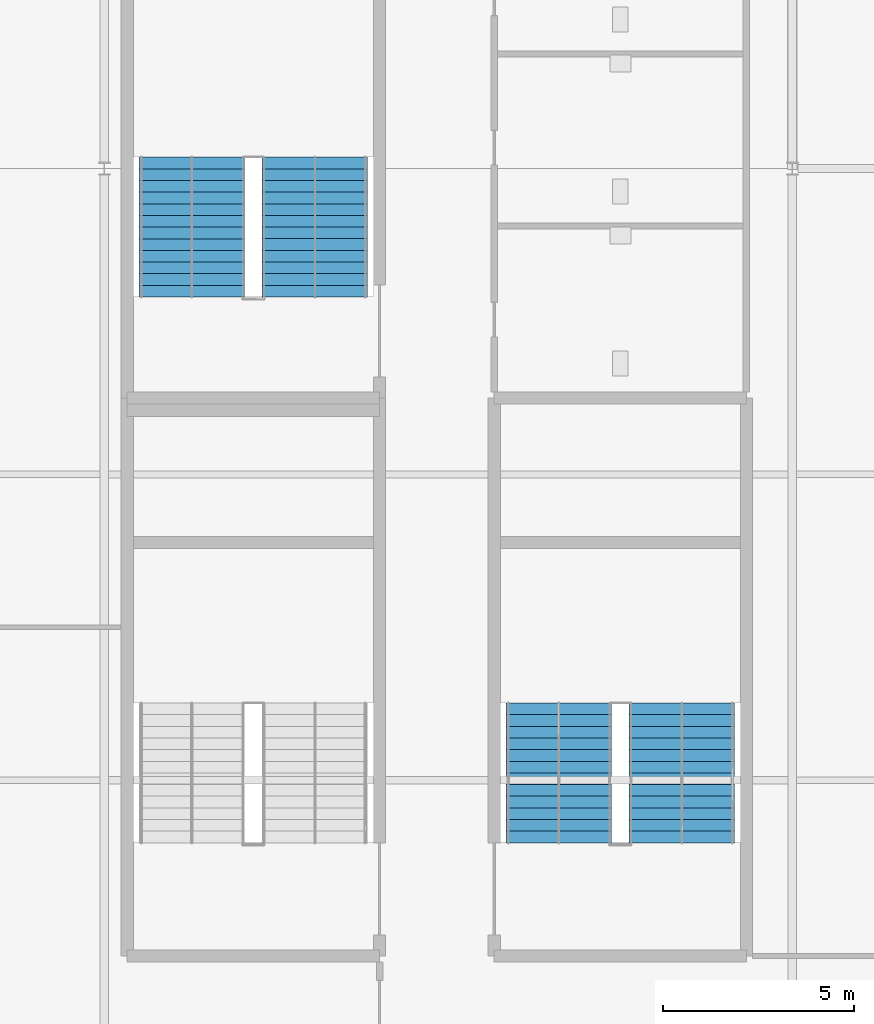
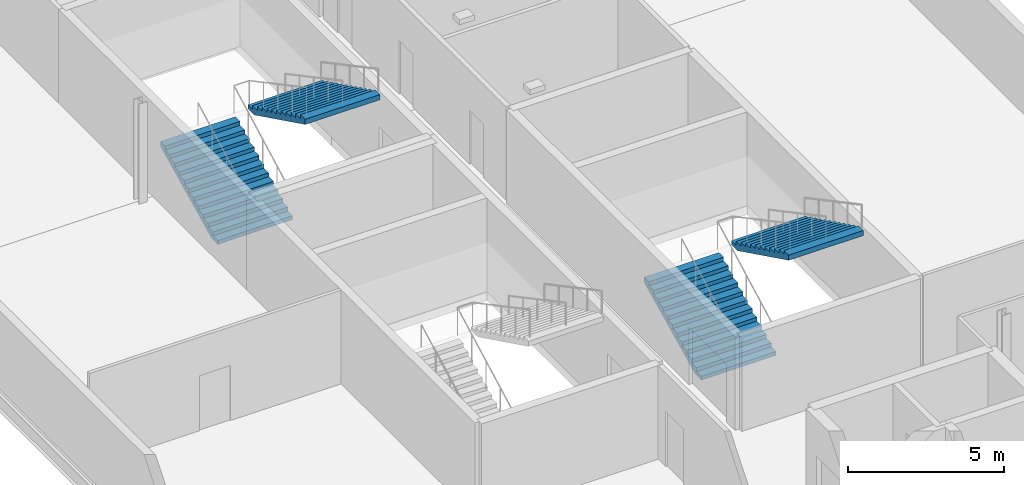
# One storey, part 21 of 27: 4 stair flights, 2 elements without a shape of their own.
"""IFC4 building model written with IfcOpenShell, lengths in metres."""

from ifc_helpers import new_model, si_unit, direction, frame, origin, place, context, subcontext, project, spatial, polygons, material, type_object, element, aggregate, save


model = new_model("IFC4")

# Units and contexts
model_context = context("Model", 3, precision=1e-05, world=origin(), true_north=direction((0.0, 1.0)))
body_context = subcontext(model_context, "Body", "Model", "MODEL_VIEW")
ifc_project = project(units=[si_unit("LENGTHUNIT", "METRE"), si_unit("AREAUNIT", "SQUARE_METRE"), si_unit("VOLUMEUNIT", "CUBIC_METRE"), si_unit("PLANEANGLEUNIT", "RADIAN"), si_unit("MASSUNIT", "GRAM", prefix="KILO")], contexts=[model_context])

# Site, building, storey
site_placement = place(None, origin())
site = spatial("IfcSite", under=ifc_project, at=site_placement, CompositionType="ELEMENT")
building_placement = place(site_placement, origin())
building = spatial("IfcBuilding", under=site, at=building_placement, Name="Kisiwana Market Hall", CompositionType="ELEMENT")
storey_placement = place(building_placement, frame((0.0, 0.0, 41.699951171875)))
storey = spatial("IfcBuildingStorey", under=building, at=storey_placement, Name="L09", CompositionType="ELEMENT", Elevation=41.699951171875)

# Stair, stair flights
ifc_material_1 = material(Name="Concrete C32/40", Category="concrete")
stair_type = type_object("IfcStairType", Name="ST-ESC-3900", PredefinedType="TWO_STRAIGHT_RUN_STAIR", material=ifc_material_1)
stair_1_placement = place(storey_placement, origin())
stair_1 = element("IfcStair", 1, at=stair_1_placement, inside=storey, type_object=stair_type, Name="Escape stair ST-E3-L09", PredefinedType="TWO_STRAIGHT_RUN_STAIR")
ifc_material_2 = material(Name="Concrete C32/40", Category="concrete")
stair_flight_type = type_object("IfcStairFlightType", Name="SF-ESC-3900", PredefinedType="STRAIGHT", material=ifc_material_2)
stair_flight_1_placement = place(storey_placement, frame((182.889892578125, 42.360107421875, 0.0), z_axis=(0.0, 0.0, 1.0), x_axis=(0.0, 1.0, 0.0)))
stair_flight_1 = element("IfcStairFlight", 2, at=stair_flight_1_placement, type_object=stair_flight_type, Name="ST-E3-L09 flight 1", NumberOfRisers=13, NumberOfTreads=12, PredefinedType="STRAIGHT", RiserHeight=0.15, TreadLength=0.305, context=body_context, shape_type="Tessellation", body=[
    polygons([(0.0, -1.380127, 0.0), (0.0, -0.690125, 0.0), (0.0, -0.000122, 0.0), (0.0, 0.68988, 0.0), (0.0, 1.379883, 0.0), (0.0, -1.380127, 0.149902), (0.0, -0.690125, 0.149902), (0.0, -0.000122, 0.149902), (0.0, 0.68988, 0.149902), (0.0, 1.379883, 0.149902), (0.304932, -1.380127, 0.149902), (0.304932, -0.690125, 0.149902), (0.304932, -0.000122, 0.149902), (0.304932, 0.68988, 0.149902), (0.304932, 1.379883, 0.149902), (0.304932, -1.380127, 0.300049), (0.304932, -0.690125, 0.300049), (0.304932, -0.000122, 0.300049), (0.304932, 0.68988, 0.300049), (0.304932, 1.379883, 0.300049), (0.610107, -1.380127, 0.300049), (0.610107, -0.690125, 0.300049), (0.610107, -0.000122, 0.300049), (0.610107, 0.68988, 0.300049), (0.610107, 1.379883, 0.300049), (0.610107, -1.380127, 0.449951), (0.610107, -0.690125, 0.449951), (0.610107, -0.000122, 0.449951), (0.610107, 0.68988, 0.449951), (0.610107, 1.379883, 0.449951), (0.915039, -1.380127, 0.449951), (0.915039, -0.690125, 0.449951), (0.915039, -0.000122, 0.449951), (0.915039, 0.68988, 0.449951), (0.915039, 1.379883, 0.449951), (0.915039, -1.380127, 0.600098), (0.915039, -0.690125, 0.600098), (0.915039, -0.000122, 0.600098), (0.915039, 0.68988, 0.600098), (0.915039, 1.379883, 0.600098), (1.219971, -1.380127, 0.600098), (1.219971, -0.690125, 0.600098), (1.219971, -0.000122, 0.600098), (1.219971, 0.68988, 0.600098), (1.219971, 1.379883, 0.600098), (1.219971, -1.380127, 0.75), (1.219971, -0.690125, 0.75), (1.219971, -0.000122, 0.75), (1.219971, 0.68988, 0.75), (1.219971, 1.379883, 0.75), (1.524902, -1.380127, 0.75), (1.524902, -0.690125, 0.75), (1.524902, -0.000122, 0.75), (1.524902, 0.68988, 0.75), (1.524902, 1.379883, 0.75), (1.524902, -1.380127, 0.899902), (1.524902, -0.690125, 0.899902), (1.524902, -0.000122, 0.899902), (1.524902, 0.68988, 0.899902), (1.524902, 1.379883, 0.899902), (1.830078, -1.380127, 0.899902), (1.830078, -0.690125, 0.899902), (1.830078, -0.000122, 0.899902), (1.830078, 0.68988, 0.899902), (1.830078, 1.379883, 0.899902), (1.830078, -1.380127, 1.050049), (1.830078, -0.690125, 1.050049), (1.830078, -0.000122, 1.050049), (1.830078, 0.68988, 1.050049), (1.830078, 1.379883, 1.050049), (2.13501, -1.380127, 1.050049), (2.13501, -0.690125, 1.050049), (2.13501, -0.000122, 1.050049), (2.13501, 0.68988, 1.050049), (2.13501, 1.379883, 1.050049), (2.13501, -1.380127, 1.199951), (2.13501, -0.690125, 1.199951), (2.13501, -0.000122, 1.199951), (2.13501, 0.68988, 1.199951), (2.13501, 1.379883, 1.199951), (2.439941, -1.380127, 1.199951), (2.439941, -0.690125, 1.199951), (2.439941, -0.000122, 1.199951), (2.439941, 0.68988, 1.199951), (2.439941, 1.379883, 1.199951), (2.439941, -1.380127, 1.350098), (2.439941, -0.690125, 1.350098), (2.439941, -0.000122, 1.350098), (2.439941, 0.68988, 1.350098), (2.439941, 1.379883, 1.350098), (2.745117, -1.380127, 1.350098), (2.745117, -0.690125, 1.350098), (2.745117, -0.000122, 1.350098), (2.745117, 0.68988, 1.350098), (2.745117, 1.379883, 1.350098), (2.745117, -1.380127, 1.5), (2.745117, -0.690125, 1.5), (2.745117, -0.000122, 1.5), (2.745117, 0.68988, 1.5), (2.745117, 1.379883, 1.5), (3.050049, -1.380127, 1.5), (3.050049, -0.690125, 1.5), (3.050049, -0.000122, 1.5), (3.050049, 0.68988, 1.5), (3.050049, 1.379883, 1.5), (3.050049, -1.380127, 1.649902), (3.050049, -0.690125, 1.649902), (3.050049, -0.000122, 1.649902), (3.050049, 0.68988, 1.649902), (3.050049, 1.379883, 1.649902), (3.35498, -1.380127, 1.649902), (3.35498, -0.690125, 1.649902), (3.35498, -0.000122, 1.649902), (3.35498, 0.68988, 1.649902), (3.35498, 1.379883, 1.649902), (3.35498, -1.380127, 1.800049), (3.35498, -0.690125, 1.800049), (3.35498, -0.000122, 1.800049), (3.35498, 0.68988, 1.800049), (3.35498, 1.379883, 1.800049), (3.659912, -1.380127, 1.800049), (3.659912, -0.690125, 1.800049), (3.659912, -0.000122, 1.800049), (3.659912, 0.68988, 1.800049), (3.659912, 1.379883, 1.800049), (3.659912, -1.380127, 1.599365), (3.659912, -0.690125, 1.599365), (3.659912, -0.000122, 1.599365), (3.659912, 0.68988, 1.599365), (3.659912, 1.379883, 1.599365), (0.407715, -1.380127, 0.0), (0.407715, -0.690125, 0.0), (0.407715, -0.000122, 0.0), (0.407715, 0.68988, 0.0), (0.407715, 1.379883, 0.0)], [[[1, 6, 7, 2]], [[2, 7, 8, 3]], [[3, 8, 9, 4]], [[4, 9, 10, 5]], [[6, 11, 12, 7]], [[7, 12, 13, 8]], [[8, 13, 14, 9]], [[9, 14, 15, 10]], [[11, 16, 17, 12]], [[12, 17, 18, 13]], [[13, 18, 19, 14]], [[14, 19, 20, 15]], [[16, 21, 22, 17]], [[17, 22, 23, 18]], [[18, 23, 24, 19]], [[19, 24, 25, 20]], [[21, 26, 27, 22]], [[22, 27, 28, 23]], [[23, 28, 29, 24]], [[24, 29, 30, 25]], [[26, 31, 32, 27]], [[27, 32, 33, 28]], [[28, 33, 34, 29]], [[29, 34, 35, 30]], [[31, 36, 37, 32]], [[32, 37, 38, 33]], [[33, 38, 39, 34]], [[34, 39, 40, 35]], [[36, 41, 42, 37]], [[37, 42, 43, 38]], [[38, 43, 44, 39]], [[39, 44, 45, 40]], [[41, 46, 47, 42]], [[42, 47, 48, 43]], [[43, 48, 49, 44]], [[44, 49, 50, 45]], [[46, 51, 52, 47]], [[47, 52, 53, 48]], [[48, 53, 54, 49]], [[49, 54, 55, 50]], [[51, 56, 57, 52]], [[52, 57, 58, 53]], [[53, 58, 59, 54]], [[54, 59, 60, 55]], [[56, 61, 62, 57]], [[57, 62, 63, 58]], [[58, 63, 64, 59]], [[59, 64, 65, 60]], [[61, 66, 67, 62]], [[62, 67, 68, 63]], [[63, 68, 69, 64]], [[64, 69, 70, 65]], [[66, 71, 72, 67]], [[67, 72, 73, 68]], [[68, 73, 74, 69]], [[69, 74, 75, 70]], [[71, 76, 77, 72]], [[72, 77, 78, 73]], [[73, 78, 79, 74]], [[74, 79, 80, 75]], [[76, 81, 82, 77]], [[77, 82, 83, 78]], [[78, 83, 84, 79]], [[79, 84, 85, 80]], [[81, 86, 87, 82]], [[82, 87, 88, 83]], [[83, 88, 89, 84]], [[84, 89, 90, 85]], [[86, 91, 92, 87]], [[87, 92, 93, 88]], [[88, 93, 94, 89]], [[89, 94, 95, 90]], [[91, 96, 97, 92]], [[92, 97, 98, 93]], [[93, 98, 99, 94]], [[94, 99, 100, 95]], [[96, 101, 102, 97]], [[97, 102, 103, 98]], [[98, 103, 104, 99]], [[99, 104, 105, 100]], [[101, 106, 107, 102]], [[102, 107, 108, 103]], [[103, 108, 109, 104]], [[104, 109, 110, 105]], [[106, 111, 112, 107]], [[107, 112, 113, 108]], [[108, 113, 114, 109]], [[109, 114, 115, 110]], [[111, 116, 117, 112]], [[112, 117, 118, 113]], [[113, 118, 119, 114]], [[114, 119, 120, 115]], [[116, 121, 122, 117]], [[117, 122, 123, 118]], [[118, 123, 124, 119]], [[119, 124, 125, 120]], [[121, 126, 127, 122]], [[122, 127, 128, 123]], [[123, 128, 129, 124]], [[124, 129, 130, 125]], [[126, 131, 132, 127]], [[127, 132, 133, 128]], [[128, 133, 134, 129]], [[129, 134, 135, 130]], [[131, 1, 2, 132]], [[132, 2, 3, 133]], [[133, 3, 4, 134]], [[134, 4, 5, 135]], [[131, 126, 121, 116, 111, 106, 101, 96, 91, 86, 81, 76, 71, 66, 61, 56, 51, 46, 41, 36, 31, 26, 21, 16, 11, 6, 1]], [[5, 10, 15, 20, 25, 30, 35, 40, 45, 50, 55, 60, 65, 70, 75, 80, 85, 90, 95, 100, 105, 110, 115, 120, 125, 130, 135]]], closed=True),
])
stair_flight_2_placement = place(storey_placement, frame((186.110107421875, 46.02001953125, 1.949951171875), z_axis=(0.0, 0.0, 1.0), x_axis=(0.0, -1.0, 0.0)))
stair_flight_2 = element("IfcStairFlight", 3, at=stair_flight_2_placement, type_object=stair_flight_type, Name="ST-E3-L09 flight 2", NumberOfRisers=13, NumberOfTreads=12, PredefinedType="STRAIGHT", RiserHeight=0.15, TreadLength=0.305, context=body_context, shape_type="Tessellation", body=[
    polygons([(0.0, -1.380127, 0.0), (0.0, -0.690125, 0.0), (0.0, -0.000122, 0.0), (0.0, 0.68988, 0.0), (0.0, 1.379883, 0.0), (0.0, -1.380127, 0.149902), (0.0, -0.690125, 0.149902), (0.0, -0.000122, 0.149902), (0.0, 0.68988, 0.149902), (0.0, 1.379883, 0.149902), (0.304932, -1.380127, 0.149902), (0.304932, -0.690125, 0.149902), (0.304932, -0.000122, 0.149902), (0.304932, 0.68988, 0.149902), (0.304932, 1.379883, 0.149902), (0.304932, -1.380127, 0.300049), (0.304932, -0.690125, 0.300049), (0.304932, -0.000122, 0.300049), (0.304932, 0.68988, 0.300049), (0.304932, 1.379883, 0.300049), (0.610107, -1.380127, 0.300049), (0.610107, -0.690125, 0.300049), (0.610107, -0.000122, 0.300049), (0.610107, 0.68988, 0.300049), (0.610107, 1.379883, 0.300049), (0.610107, -1.380127, 0.449951), (0.610107, -0.690125, 0.449951), (0.610107, -0.000122, 0.449951), (0.610107, 0.68988, 0.449951), (0.610107, 1.379883, 0.449951), (0.915039, -1.380127, 0.449951), (0.915039, -0.690125, 0.449951), (0.915039, -0.000122, 0.449951), (0.915039, 0.68988, 0.449951), (0.915039, 1.379883, 0.449951), (0.915039, -1.380127, 0.600098), (0.915039, -0.690125, 0.600098), (0.915039, -0.000122, 0.600098), (0.915039, 0.68988, 0.600098), (0.915039, 1.379883, 0.600098), (1.219971, -1.380127, 0.600098), (1.219971, -0.690125, 0.600098), (1.219971, -0.000122, 0.600098), (1.219971, 0.68988, 0.600098), (1.219971, 1.379883, 0.600098), (1.219971, -1.380127, 0.75), (1.219971, -0.690125, 0.75), (1.219971, -0.000122, 0.75), (1.219971, 0.68988, 0.75), (1.219971, 1.379883, 0.75), (1.524902, -1.380127, 0.75), (1.524902, -0.690125, 0.75), (1.524902, -0.000122, 0.75), (1.524902, 0.68988, 0.75), (1.524902, 1.379883, 0.75), (1.524902, -1.380127, 0.899902), (1.524902, -0.690125, 0.899902), (1.524902, -0.000122, 0.899902), (1.524902, 0.68988, 0.899902), (1.524902, 1.379883, 0.899902), (1.830078, -1.380127, 0.899902), (1.830078, -0.690125, 0.899902), (1.830078, -0.000122, 0.899902), (1.830078, 0.68988, 0.899902), (1.830078, 1.379883, 0.899902), (1.830078, -1.380127, 1.050049), (1.830078, -0.690125, 1.050049), (1.830078, -0.000122, 1.050049), (1.830078, 0.68988, 1.050049), (1.830078, 1.379883, 1.050049), (2.13501, -1.380127, 1.050049), (2.13501, -0.690125, 1.050049), (2.13501, -0.000122, 1.050049), (2.13501, 0.68988, 1.050049), (2.13501, 1.379883, 1.050049), (2.13501, -1.380127, 1.199951), (2.13501, -0.690125, 1.199951), (2.13501, -0.000122, 1.199951), (2.13501, 0.68988, 1.199951), (2.13501, 1.379883, 1.199951), (2.439941, -1.380127, 1.199951), (2.439941, -0.690125, 1.199951), (2.439941, -0.000122, 1.199951), (2.439941, 0.68988, 1.199951), (2.439941, 1.379883, 1.199951), (2.439941, -1.380127, 1.350098), (2.439941, -0.690125, 1.350098), (2.439941, -0.000122, 1.350098), (2.439941, 0.68988, 1.350098), (2.439941, 1.379883, 1.350098), (2.745117, -1.380127, 1.350098), (2.745117, -0.690125, 1.350098), (2.745117, -0.000122, 1.350098), (2.745117, 0.68988, 1.350098), (2.745117, 1.379883, 1.350098), (2.745117, -1.380127, 1.5), (2.745117, -0.690125, 1.5), (2.745117, -0.000122, 1.5), (2.745117, 0.68988, 1.5), (2.745117, 1.379883, 1.5), (3.050049, -1.380127, 1.5), (3.050049, -0.690125, 1.5), (3.050049, -0.000122, 1.5), (3.050049, 0.68988, 1.5), (3.050049, 1.379883, 1.5), (3.050049, -1.380127, 1.649902), (3.050049, -0.690125, 1.649902), (3.050049, -0.000122, 1.649902), (3.050049, 0.68988, 1.649902), (3.050049, 1.379883, 1.649902), (3.35498, -1.380127, 1.649902), (3.35498, -0.690125, 1.649902), (3.35498, -0.000122, 1.649902), (3.35498, 0.68988, 1.649902), (3.35498, 1.379883, 1.649902), (3.35498, -1.380127, 1.800049), (3.35498, -0.690125, 1.800049), (3.35498, -0.000122, 1.800049), (3.35498, 0.68988, 1.800049), (3.35498, 1.379883, 1.800049), (3.659912, -1.380127, 1.800049), (3.659912, -0.690125, 1.800049), (3.659912, -0.000122, 1.800049), (3.659912, 0.68988, 1.800049), (3.659912, 1.379883, 1.800049), (3.659912, -1.380127, 1.599365), (3.659912, -0.690125, 1.599365), (3.659912, -0.000122, 1.599365), (3.659912, 0.68988, 1.599365), (3.659912, 1.379883, 1.599365), (0.407715, -1.380127, 0.0), (0.407715, -0.690125, 0.0), (0.407715, -0.000122, 0.0), (0.407715, 0.68988, 0.0), (0.407715, 1.379883, 0.0)], [[[1, 6, 7, 2]], [[2, 7, 8, 3]], [[3, 8, 9, 4]], [[4, 9, 10, 5]], [[6, 11, 12, 7]], [[7, 12, 13, 8]], [[8, 13, 14, 9]], [[9, 14, 15, 10]], [[11, 16, 17, 12]], [[12, 17, 18, 13]], [[13, 18, 19, 14]], [[14, 19, 20, 15]], [[16, 21, 22, 17]], [[17, 22, 23, 18]], [[18, 23, 24, 19]], [[19, 24, 25, 20]], [[21, 26, 27, 22]], [[22, 27, 28, 23]], [[23, 28, 29, 24]], [[24, 29, 30, 25]], [[26, 31, 32, 27]], [[27, 32, 33, 28]], [[28, 33, 34, 29]], [[29, 34, 35, 30]], [[31, 36, 37, 32]], [[32, 37, 38, 33]], [[33, 38, 39, 34]], [[34, 39, 40, 35]], [[36, 41, 42, 37]], [[37, 42, 43, 38]], [[38, 43, 44, 39]], [[39, 44, 45, 40]], [[41, 46, 47, 42]], [[42, 47, 48, 43]], [[43, 48, 49, 44]], [[44, 49, 50, 45]], [[46, 51, 52, 47]], [[47, 52, 53, 48]], [[48, 53, 54, 49]], [[49, 54, 55, 50]], [[51, 56, 57, 52]], [[52, 57, 58, 53]], [[53, 58, 59, 54]], [[54, 59, 60, 55]], [[56, 61, 62, 57]], [[57, 62, 63, 58]], [[58, 63, 64, 59]], [[59, 64, 65, 60]], [[61, 66, 67, 62]], [[62, 67, 68, 63]], [[63, 68, 69, 64]], [[64, 69, 70, 65]], [[66, 71, 72, 67]], [[67, 72, 73, 68]], [[68, 73, 74, 69]], [[69, 74, 75, 70]], [[71, 76, 77, 72]], [[72, 77, 78, 73]], [[73, 78, 79, 74]], [[74, 79, 80, 75]], [[76, 81, 82, 77]], [[77, 82, 83, 78]], [[78, 83, 84, 79]], [[79, 84, 85, 80]], [[81, 86, 87, 82]], [[82, 87, 88, 83]], [[83, 88, 89, 84]], [[84, 89, 90, 85]], [[86, 91, 92, 87]], [[87, 92, 93, 88]], [[88, 93, 94, 89]], [[89, 94, 95, 90]], [[91, 96, 97, 92]], [[92, 97, 98, 93]], [[93, 98, 99, 94]], [[94, 99, 100, 95]], [[96, 101, 102, 97]], [[97, 102, 103, 98]], [[98, 103, 104, 99]], [[99, 104, 105, 100]], [[101, 106, 107, 102]], [[102, 107, 108, 103]], [[103, 108, 109, 104]], [[104, 109, 110, 105]], [[106, 111, 112, 107]], [[107, 112, 113, 108]], [[108, 113, 114, 109]], [[109, 114, 115, 110]], [[111, 116, 117, 112]], [[112, 117, 118, 113]], [[113, 118, 119, 114]], [[114, 119, 120, 115]], [[116, 121, 122, 117]], [[117, 122, 123, 118]], [[118, 123, 124, 119]], [[119, 124, 125, 120]], [[121, 126, 127, 122]], [[122, 127, 128, 123]], [[123, 128, 129, 124]], [[124, 129, 130, 125]], [[126, 131, 132, 127]], [[127, 132, 133, 128]], [[128, 133, 134, 129]], [[129, 134, 135, 130]], [[131, 1, 2, 132]], [[132, 2, 3, 133]], [[133, 3, 4, 134]], [[134, 4, 5, 135]], [[131, 126, 121, 116, 111, 106, 101, 96, 91, 86, 81, 76, 71, 66, 61, 56, 51, 46, 41, 36, 31, 26, 21, 16, 11, 6, 1]], [[5, 10, 15, 20, 25, 30, 35, 40, 45, 50, 55, 60, 65, 70, 75, 80, 85, 90, 95, 100, 105, 110, 115, 120, 125, 130, 135]]], closed=True),
])
aggregate(stair_1, [stair_flight_1, stair_flight_2])

stair_2_placement = place(storey_placement, origin())
stair_2 = element("IfcStair", 4, at=stair_2_placement, inside=storey, type_object=stair_type, Name="Escape stair ST-E5-L09", PredefinedType="TWO_STRAIGHT_RUN_STAIR")
stair_flight_3_placement = place(storey_placement, frame((173.2900390625, 56.639892578125, 0.0), z_axis=(0.0, 0.0, 1.0), x_axis=(0.0, 1.0, 0.0)))
stair_flight_3 = element("IfcStairFlight", 5, at=stair_flight_3_placement, type_object=stair_flight_type, Name="ST-E5-L09 flight 1", NumberOfRisers=13, NumberOfTreads=12, PredefinedType="STRAIGHT", RiserHeight=0.15, TreadLength=0.305, context=body_context, shape_type="Tessellation", body=[
    polygons([(0.0, -1.380127, 0.0), (0.0, -0.690125, 0.0), (0.0, -0.000122, 0.0), (0.0, 0.68988, 0.0), (0.0, 1.379883, 0.0), (0.0, -1.380127, 0.149902), (0.0, -0.690125, 0.149902), (0.0, -0.000122, 0.149902), (0.0, 0.68988, 0.149902), (0.0, 1.379883, 0.149902), (0.304932, -1.380127, 0.149902), (0.304932, -0.690125, 0.149902), (0.304932, -0.000122, 0.149902), (0.304932, 0.68988, 0.149902), (0.304932, 1.379883, 0.149902), (0.304932, -1.380127, 0.300049), (0.304932, -0.690125, 0.300049), (0.304932, -0.000122, 0.300049), (0.304932, 0.68988, 0.300049), (0.304932, 1.379883, 0.300049), (0.610107, -1.380127, 0.300049), (0.610107, -0.690125, 0.300049), (0.610107, -0.000122, 0.300049), (0.610107, 0.68988, 0.300049), (0.610107, 1.379883, 0.300049), (0.610107, -1.380127, 0.449951), (0.610107, -0.690125, 0.449951), (0.610107, -0.000122, 0.449951), (0.610107, 0.68988, 0.449951), (0.610107, 1.379883, 0.449951), (0.915039, -1.380127, 0.449951), (0.915039, -0.690125, 0.449951), (0.915039, -0.000122, 0.449951), (0.915039, 0.68988, 0.449951), (0.915039, 1.379883, 0.449951), (0.915039, -1.380127, 0.600098), (0.915039, -0.690125, 0.600098), (0.915039, -0.000122, 0.600098), (0.915039, 0.68988, 0.600098), (0.915039, 1.379883, 0.600098), (1.219971, -1.380127, 0.600098), (1.219971, -0.690125, 0.600098), (1.219971, -0.000122, 0.600098), (1.219971, 0.68988, 0.600098), (1.219971, 1.379883, 0.600098), (1.219971, -1.380127, 0.75), (1.219971, -0.690125, 0.75), (1.219971, -0.000122, 0.75), (1.219971, 0.68988, 0.75), (1.219971, 1.379883, 0.75), (1.524902, -1.380127, 0.75), (1.524902, -0.690125, 0.75), (1.524902, -0.000122, 0.75), (1.524902, 0.68988, 0.75), (1.524902, 1.379883, 0.75), (1.524902, -1.380127, 0.899902), (1.524902, -0.690125, 0.899902), (1.524902, -0.000122, 0.899902), (1.524902, 0.68988, 0.899902), (1.524902, 1.379883, 0.899902), (1.830078, -1.380127, 0.899902), (1.830078, -0.690125, 0.899902), (1.830078, -0.000122, 0.899902), (1.830078, 0.68988, 0.899902), (1.830078, 1.379883, 0.899902), (1.830078, -1.380127, 1.050049), (1.830078, -0.690125, 1.050049), (1.830078, -0.000122, 1.050049), (1.830078, 0.68988, 1.050049), (1.830078, 1.379883, 1.050049), (2.13501, -1.380127, 1.050049), (2.13501, -0.690125, 1.050049), (2.13501, -0.000122, 1.050049), (2.13501, 0.68988, 1.050049), (2.13501, 1.379883, 1.050049), (2.13501, -1.380127, 1.199951), (2.13501, -0.690125, 1.199951), (2.13501, -0.000122, 1.199951), (2.13501, 0.68988, 1.199951), (2.13501, 1.379883, 1.199951), (2.439941, -1.380127, 1.199951), (2.439941, -0.690125, 1.199951), (2.439941, -0.000122, 1.199951), (2.439941, 0.68988, 1.199951), (2.439941, 1.379883, 1.199951), (2.439941, -1.380127, 1.350098), (2.439941, -0.690125, 1.350098), (2.439941, -0.000122, 1.350098), (2.439941, 0.68988, 1.350098), (2.439941, 1.379883, 1.350098), (2.745117, -1.380127, 1.350098), (2.745117, -0.690125, 1.350098), (2.745117, -0.000122, 1.350098), (2.745117, 0.68988, 1.350098), (2.745117, 1.379883, 1.350098), (2.745117, -1.380127, 1.5), (2.745117, -0.690125, 1.5), (2.745117, -0.000122, 1.5), (2.745117, 0.68988, 1.5), (2.745117, 1.379883, 1.5), (3.050049, -1.380127, 1.5), (3.050049, -0.690125, 1.5), (3.050049, -0.000122, 1.5), (3.050049, 0.68988, 1.5), (3.050049, 1.379883, 1.5), (3.050049, -1.380127, 1.649902), (3.050049, -0.690125, 1.649902), (3.050049, -0.000122, 1.649902), (3.050049, 0.68988, 1.649902), (3.050049, 1.379883, 1.649902), (3.35498, -1.380127, 1.649902), (3.35498, -0.690125, 1.649902), (3.35498, -0.000122, 1.649902), (3.35498, 0.68988, 1.649902), (3.35498, 1.379883, 1.649902), (3.35498, -1.380127, 1.800049), (3.35498, -0.690125, 1.800049), (3.35498, -0.000122, 1.800049), (3.35498, 0.68988, 1.800049), (3.35498, 1.379883, 1.800049), (3.659912, -1.380127, 1.800049), (3.659912, -0.690125, 1.800049), (3.659912, -0.000122, 1.800049), (3.659912, 0.68988, 1.800049), (3.659912, 1.379883, 1.800049), (3.659912, -1.380127, 1.599365), (3.659912, -0.690125, 1.599365), (3.659912, -0.000122, 1.599365), (3.659912, 0.68988, 1.599365), (3.659912, 1.379883, 1.599365), (0.407715, -1.380127, 0.0), (0.407715, -0.690125, 0.0), (0.407715, -0.000122, 0.0), (0.407715, 0.68988, 0.0), (0.407715, 1.379883, 0.0)], [[[1, 6, 7, 2]], [[2, 7, 8, 3]], [[3, 8, 9, 4]], [[4, 9, 10, 5]], [[6, 11, 12, 7]], [[7, 12, 13, 8]], [[8, 13, 14, 9]], [[9, 14, 15, 10]], [[11, 16, 17, 12]], [[12, 17, 18, 13]], [[13, 18, 19, 14]], [[14, 19, 20, 15]], [[16, 21, 22, 17]], [[17, 22, 23, 18]], [[18, 23, 24, 19]], [[19, 24, 25, 20]], [[21, 26, 27, 22]], [[22, 27, 28, 23]], [[23, 28, 29, 24]], [[24, 29, 30, 25]], [[26, 31, 32, 27]], [[27, 32, 33, 28]], [[28, 33, 34, 29]], [[29, 34, 35, 30]], [[31, 36, 37, 32]], [[32, 37, 38, 33]], [[33, 38, 39, 34]], [[34, 39, 40, 35]], [[36, 41, 42, 37]], [[37, 42, 43, 38]], [[38, 43, 44, 39]], [[39, 44, 45, 40]], [[41, 46, 47, 42]], [[42, 47, 48, 43]], [[43, 48, 49, 44]], [[44, 49, 50, 45]], [[46, 51, 52, 47]], [[47, 52, 53, 48]], [[48, 53, 54, 49]], [[49, 54, 55, 50]], [[51, 56, 57, 52]], [[52, 57, 58, 53]], [[53, 58, 59, 54]], [[54, 59, 60, 55]], [[56, 61, 62, 57]], [[57, 62, 63, 58]], [[58, 63, 64, 59]], [[59, 64, 65, 60]], [[61, 66, 67, 62]], [[62, 67, 68, 63]], [[63, 68, 69, 64]], [[64, 69, 70, 65]], [[66, 71, 72, 67]], [[67, 72, 73, 68]], [[68, 73, 74, 69]], [[69, 74, 75, 70]], [[71, 76, 77, 72]], [[72, 77, 78, 73]], [[73, 78, 79, 74]], [[74, 79, 80, 75]], [[76, 81, 82, 77]], [[77, 82, 83, 78]], [[78, 83, 84, 79]], [[79, 84, 85, 80]], [[81, 86, 87, 82]], [[82, 87, 88, 83]], [[83, 88, 89, 84]], [[84, 89, 90, 85]], [[86, 91, 92, 87]], [[87, 92, 93, 88]], [[88, 93, 94, 89]], [[89, 94, 95, 90]], [[91, 96, 97, 92]], [[92, 97, 98, 93]], [[93, 98, 99, 94]], [[94, 99, 100, 95]], [[96, 101, 102, 97]], [[97, 102, 103, 98]], [[98, 103, 104, 99]], [[99, 104, 105, 100]], [[101, 106, 107, 102]], [[102, 107, 108, 103]], [[103, 108, 109, 104]], [[104, 109, 110, 105]], [[106, 111, 112, 107]], [[107, 112, 113, 108]], [[108, 113, 114, 109]], [[109, 114, 115, 110]], [[111, 116, 117, 112]], [[112, 117, 118, 113]], [[113, 118, 119, 114]], [[114, 119, 120, 115]], [[116, 121, 122, 117]], [[117, 122, 123, 118]], [[118, 123, 124, 119]], [[119, 124, 125, 120]], [[121, 126, 127, 122]], [[122, 127, 128, 123]], [[123, 128, 129, 124]], [[124, 129, 130, 125]], [[126, 131, 132, 127]], [[127, 132, 133, 128]], [[128, 133, 134, 129]], [[129, 134, 135, 130]], [[131, 1, 2, 132]], [[132, 2, 3, 133]], [[133, 3, 4, 134]], [[134, 4, 5, 135]], [[131, 126, 121, 116, 111, 106, 101, 96, 91, 86, 81, 76, 71, 66, 61, 56, 51, 46, 41, 36, 31, 26, 21, 16, 11, 6, 1]], [[5, 10, 15, 20, 25, 30, 35, 40, 45, 50, 55, 60, 65, 70, 75, 80, 85, 90, 95, 100, 105, 110, 115, 120, 125, 130, 135]]], closed=True),
])
stair_flight_4_placement = place(storey_placement, frame((176.510009765625, 60.300048828125, 1.949951171875), z_axis=(0.0, 0.0, 1.0), x_axis=(0.0, -1.0, 0.0)))
stair_flight_4 = element("IfcStairFlight", 6, at=stair_flight_4_placement, type_object=stair_flight_type, Name="ST-E5-L09 flight 2", NumberOfRisers=13, NumberOfTreads=12, PredefinedType="STRAIGHT", RiserHeight=0.15, TreadLength=0.305, context=body_context, shape_type="Tessellation", body=[
    polygons([(0.0, -1.380127, 0.0), (0.0, -0.690125, 0.0), (0.0, -0.000122, 0.0), (0.0, 0.68988, 0.0), (0.0, 1.379883, 0.0), (0.0, -1.380127, 0.149902), (0.0, -0.690125, 0.149902), (0.0, -0.000122, 0.149902), (0.0, 0.68988, 0.149902), (0.0, 1.379883, 0.149902), (0.304932, -1.380127, 0.149902), (0.304932, -0.690125, 0.149902), (0.304932, -0.000122, 0.149902), (0.304932, 0.68988, 0.149902), (0.304932, 1.379883, 0.149902), (0.304932, -1.380127, 0.300049), (0.304932, -0.690125, 0.300049), (0.304932, -0.000122, 0.300049), (0.304932, 0.68988, 0.300049), (0.304932, 1.379883, 0.300049), (0.610107, -1.380127, 0.300049), (0.610107, -0.690125, 0.300049), (0.610107, -0.000122, 0.300049), (0.610107, 0.68988, 0.300049), (0.610107, 1.379883, 0.300049), (0.610107, -1.380127, 0.449951), (0.610107, -0.690125, 0.449951), (0.610107, -0.000122, 0.449951), (0.610107, 0.68988, 0.449951), (0.610107, 1.379883, 0.449951), (0.915039, -1.380127, 0.449951), (0.915039, -0.690125, 0.449951), (0.915039, -0.000122, 0.449951), (0.915039, 0.68988, 0.449951), (0.915039, 1.379883, 0.449951), (0.915039, -1.380127, 0.600098), (0.915039, -0.690125, 0.600098), (0.915039, -0.000122, 0.600098), (0.915039, 0.68988, 0.600098), (0.915039, 1.379883, 0.600098), (1.219971, -1.380127, 0.600098), (1.219971, -0.690125, 0.600098), (1.219971, -0.000122, 0.600098), (1.219971, 0.68988, 0.600098), (1.219971, 1.379883, 0.600098), (1.219971, -1.380127, 0.75), (1.219971, -0.690125, 0.75), (1.219971, -0.000122, 0.75), (1.219971, 0.68988, 0.75), (1.219971, 1.379883, 0.75), (1.524902, -1.380127, 0.75), (1.524902, -0.690125, 0.75), (1.524902, -0.000122, 0.75), (1.524902, 0.68988, 0.75), (1.524902, 1.379883, 0.75), (1.524902, -1.380127, 0.899902), (1.524902, -0.690125, 0.899902), (1.524902, -0.000122, 0.899902), (1.524902, 0.68988, 0.899902), (1.524902, 1.379883, 0.899902), (1.830078, -1.380127, 0.899902), (1.830078, -0.690125, 0.899902), (1.830078, -0.000122, 0.899902), (1.830078, 0.68988, 0.899902), (1.830078, 1.379883, 0.899902), (1.830078, -1.380127, 1.050049), (1.830078, -0.690125, 1.050049), (1.830078, -0.000122, 1.050049), (1.830078, 0.68988, 1.050049), (1.830078, 1.379883, 1.050049), (2.13501, -1.380127, 1.050049), (2.13501, -0.690125, 1.050049), (2.13501, -0.000122, 1.050049), (2.13501, 0.68988, 1.050049), (2.13501, 1.379883, 1.050049), (2.13501, -1.380127, 1.199951), (2.13501, -0.690125, 1.199951), (2.13501, -0.000122, 1.199951), (2.13501, 0.68988, 1.199951), (2.13501, 1.379883, 1.199951), (2.439941, -1.380127, 1.199951), (2.439941, -0.690125, 1.199951), (2.439941, -0.000122, 1.199951), (2.439941, 0.68988, 1.199951), (2.439941, 1.379883, 1.199951), (2.439941, -1.380127, 1.350098), (2.439941, -0.690125, 1.350098), (2.439941, -0.000122, 1.350098), (2.439941, 0.68988, 1.350098), (2.439941, 1.379883, 1.350098), (2.745117, -1.380127, 1.350098), (2.745117, -0.690125, 1.350098), (2.745117, -0.000122, 1.350098), (2.745117, 0.68988, 1.350098), (2.745117, 1.379883, 1.350098), (2.745117, -1.380127, 1.5), (2.745117, -0.690125, 1.5), (2.745117, -0.000122, 1.5), (2.745117, 0.68988, 1.5), (2.745117, 1.379883, 1.5), (3.050049, -1.380127, 1.5), (3.050049, -0.690125, 1.5), (3.050049, -0.000122, 1.5), (3.050049, 0.68988, 1.5), (3.050049, 1.379883, 1.5), (3.050049, -1.380127, 1.649902), (3.050049, -0.690125, 1.649902), (3.050049, -0.000122, 1.649902), (3.050049, 0.68988, 1.649902), (3.050049, 1.379883, 1.649902), (3.35498, -1.380127, 1.649902), (3.35498, -0.690125, 1.649902), (3.35498, -0.000122, 1.649902), (3.35498, 0.68988, 1.649902), (3.35498, 1.379883, 1.649902), (3.35498, -1.380127, 1.800049), (3.35498, -0.690125, 1.800049), (3.35498, -0.000122, 1.800049), (3.35498, 0.68988, 1.800049), (3.35498, 1.379883, 1.800049), (3.659912, -1.380127, 1.800049), (3.659912, -0.690125, 1.800049), (3.659912, -0.000122, 1.800049), (3.659912, 0.68988, 1.800049), (3.659912, 1.379883, 1.800049), (3.659912, -1.380127, 1.599365), (3.659912, -0.690125, 1.599365), (3.659912, -0.000122, 1.599365), (3.659912, 0.68988, 1.599365), (3.659912, 1.379883, 1.599365), (0.407715, -1.380127, 0.0), (0.407715, -0.690125, 0.0), (0.407715, -0.000122, 0.0), (0.407715, 0.68988, 0.0), (0.407715, 1.379883, 0.0)], [[[1, 6, 7, 2]], [[2, 7, 8, 3]], [[3, 8, 9, 4]], [[4, 9, 10, 5]], [[6, 11, 12, 7]], [[7, 12, 13, 8]], [[8, 13, 14, 9]], [[9, 14, 15, 10]], [[11, 16, 17, 12]], [[12, 17, 18, 13]], [[13, 18, 19, 14]], [[14, 19, 20, 15]], [[16, 21, 22, 17]], [[17, 22, 23, 18]], [[18, 23, 24, 19]], [[19, 24, 25, 20]], [[21, 26, 27, 22]], [[22, 27, 28, 23]], [[23, 28, 29, 24]], [[24, 29, 30, 25]], [[26, 31, 32, 27]], [[27, 32, 33, 28]], [[28, 33, 34, 29]], [[29, 34, 35, 30]], [[31, 36, 37, 32]], [[32, 37, 38, 33]], [[33, 38, 39, 34]], [[34, 39, 40, 35]], [[36, 41, 42, 37]], [[37, 42, 43, 38]], [[38, 43, 44, 39]], [[39, 44, 45, 40]], [[41, 46, 47, 42]], [[42, 47, 48, 43]], [[43, 48, 49, 44]], [[44, 49, 50, 45]], [[46, 51, 52, 47]], [[47, 52, 53, 48]], [[48, 53, 54, 49]], [[49, 54, 55, 50]], [[51, 56, 57, 52]], [[52, 57, 58, 53]], [[53, 58, 59, 54]], [[54, 59, 60, 55]], [[56, 61, 62, 57]], [[57, 62, 63, 58]], [[58, 63, 64, 59]], [[59, 64, 65, 60]], [[61, 66, 67, 62]], [[62, 67, 68, 63]], [[63, 68, 69, 64]], [[64, 69, 70, 65]], [[66, 71, 72, 67]], [[67, 72, 73, 68]], [[68, 73, 74, 69]], [[69, 74, 75, 70]], [[71, 76, 77, 72]], [[72, 77, 78, 73]], [[73, 78, 79, 74]], [[74, 79, 80, 75]], [[76, 81, 82, 77]], [[77, 82, 83, 78]], [[78, 83, 84, 79]], [[79, 84, 85, 80]], [[81, 86, 87, 82]], [[82, 87, 88, 83]], [[83, 88, 89, 84]], [[84, 89, 90, 85]], [[86, 91, 92, 87]], [[87, 92, 93, 88]], [[88, 93, 94, 89]], [[89, 94, 95, 90]], [[91, 96, 97, 92]], [[92, 97, 98, 93]], [[93, 98, 99, 94]], [[94, 99, 100, 95]], [[96, 101, 102, 97]], [[97, 102, 103, 98]], [[98, 103, 104, 99]], [[99, 104, 105, 100]], [[101, 106, 107, 102]], [[102, 107, 108, 103]], [[103, 108, 109, 104]], [[104, 109, 110, 105]], [[106, 111, 112, 107]], [[107, 112, 113, 108]], [[108, 113, 114, 109]], [[109, 114, 115, 110]], [[111, 116, 117, 112]], [[112, 117, 118, 113]], [[113, 118, 119, 114]], [[114, 119, 120, 115]], [[116, 121, 122, 117]], [[117, 122, 123, 118]], [[118, 123, 124, 119]], [[119, 124, 125, 120]], [[121, 126, 127, 122]], [[122, 127, 128, 123]], [[123, 128, 129, 124]], [[124, 129, 130, 125]], [[126, 131, 132, 127]], [[127, 132, 133, 128]], [[128, 133, 134, 129]], [[129, 134, 135, 130]], [[131, 1, 2, 132]], [[132, 2, 3, 133]], [[133, 3, 4, 134]], [[134, 4, 5, 135]], [[131, 126, 121, 116, 111, 106, 101, 96, 91, 86, 81, 76, 71, 66, 61, 56, 51, 46, 41, 36, 31, 26, 21, 16, 11, 6, 1]], [[5, 10, 15, 20, 25, 30, 35, 40, 45, 50, 55, 60, 65, 70, 75, 80, 85, 90, 95, 100, 105, 110, 115, 120, 125, 130, 135]]], closed=True),
])
aggregate(stair_2, [stair_flight_3, stair_flight_4])

save(model, "model.ifc")
